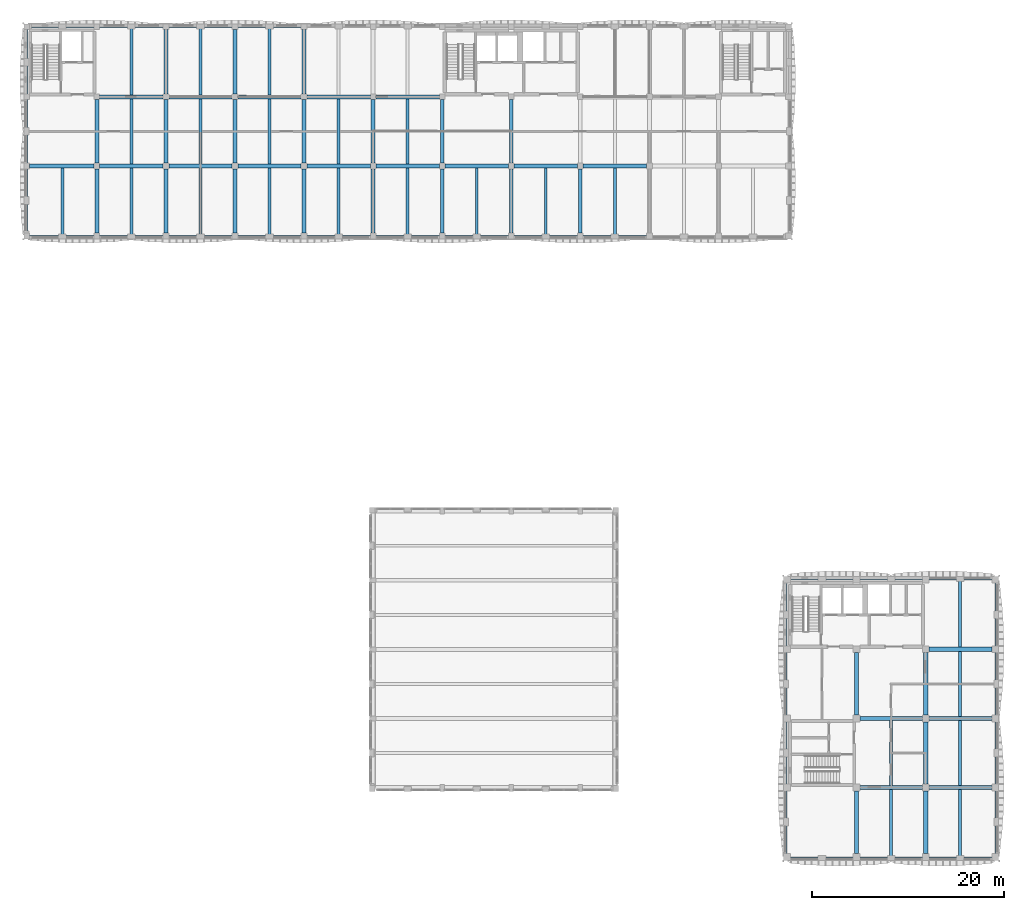
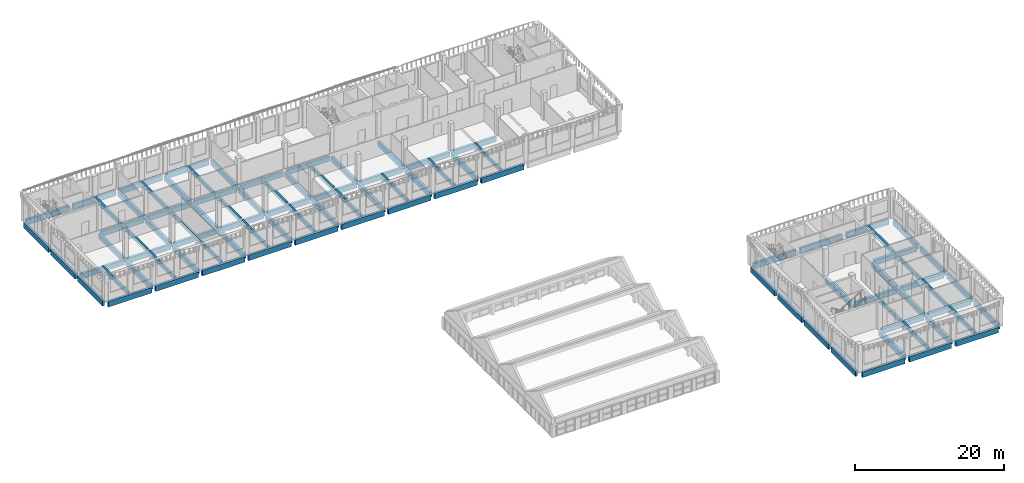
# One storey, part 6 of 38: 95 beams.
"""IFC4 building model written with IfcOpenShell, lengths in metres."""

from ifc_helpers import new_model, si_unit, direction, frame, origin, origin_2d, place, context, subcontext, project, spatial, rectangle, extrude, material, material_profile, profile_set, type_object, element, save


model = new_model("IFC4")

# Units and contexts
model_context = context("Model", 3, precision=1e-05, world=origin(), true_north=direction((0.0, 1.0)))
body_context = subcontext(model_context, "Body", "Model", "MODEL_VIEW")
ifc_project = project(units=[si_unit("LENGTHUNIT", "METRE"), si_unit("AREAUNIT", "SQUARE_METRE"), si_unit("VOLUMEUNIT", "CUBIC_METRE"), si_unit("PLANEANGLEUNIT", "RADIAN"), si_unit("MASSUNIT", "GRAM", prefix="KILO")], contexts=[model_context])

# Site, building, storey
site_placement = place(None, origin())
site = spatial("IfcSite", under=ifc_project, at=site_placement, CompositionType="ELEMENT")
building_placement = place(site_placement, origin())
building = spatial("IfcBuilding", under=site, at=building_placement, Name="Ussher Court Research Institute", CompositionType="ELEMENT")
storey_placement = place(building_placement, frame((0.0, 0.0, 23.39990234375)))
storey = spatial("IfcBuildingStorey", under=building, at=storey_placement, Name="L05", CompositionType="ELEMENT", Elevation=23.39990234375)

# Beams
ifc_material_1 = material(Name="Concrete C35/45", Category="concrete")
ifc_material_profile_1 = material_profile(ifc_material_1, rectangle(XDim=0.300048828125, YDim=0.60009765625, at=origin_2d()), Name="RC 300x600")
ifc_profile_set_1 = profile_set([ifc_material_profile_1], Name="Concrete C35/45")
beam_type_1 = type_object("IfcBeamType", Name="RC 300x600 beam", PredefinedType="BEAM", material=ifc_profile_set_1)
for number, where, z_axis, x_axis, name in (
    (1, (6.60009765625, 68.75, -0.2998046875), (0.0, 1.0, 0.0), (-1.0, 0.0, 0.0), "B3 V5 L05-01"),
    (2, (13.800048828125, 68.75, -0.2998046875), (0.0, 1.0, 0.0), (-1.0, 0.0, 0.0), "B3 V5 L05-02"),
):
    element("IfcBeam", number, at=place(storey_placement, frame(where, z_axis=z_axis, x_axis=x_axis)), inside=storey, type_object=beam_type_1, Name=name, PredefinedType="BEAM", context=body_context, shape_type="SweptSolid", body=[
        extrude(rectangle(XDim=0.300048828125, YDim=0.60009765625, at=origin_2d()), origin(), (0.0, 0.0, 1.0), 7.050048828125),
    ])
beam_1_placement = place(storey_placement, frame((13.800048828125, 76.199951171875, -0.2998046875), z_axis=(0.0, 1.0, 0.0), x_axis=(-1.0, 0.0, 0.0)))
element("IfcBeam", 3, at=beam_1_placement, inside=storey, type_object=beam_type_1, Name="B3 V5 L05-03", PredefinedType="BEAM", context=body_context, shape_type="SweptSolid", body=[
    extrude(rectangle(XDim=0.300048828125, YDim=0.60009765625, at=origin_2d()), origin(), (0.0, 0.0, 1.0), 6.800048828125),
])
for number, where, z_axis, x_axis, name in (
    (4, (13.800048828125, 83.39990234375, -0.2998046875), (0.0, 1.0, 0.0), (-1.0, 0.0, 0.0), "B3 V5 L05-04"),
    (5, (21.0, 68.75, -0.2998046875), (0.0, 1.0, 0.0), (-1.0, 0.0, 0.0), "B3 V5 L05-05"),
):
    element("IfcBeam", number, at=place(storey_placement, frame(where, z_axis=z_axis, x_axis=x_axis)), inside=storey, type_object=beam_type_1, Name=name, PredefinedType="BEAM", context=body_context, shape_type="SweptSolid", body=[
        extrude(rectangle(XDim=0.300048828125, YDim=0.60009765625, at=origin_2d()), origin(), (0.0, 0.0, 1.0), 7.050048828125),
    ])
beam_2_placement = place(storey_placement, frame((21.0, 76.199951171875, -0.2998046875), z_axis=(0.0, 1.0, 0.0), x_axis=(-1.0, 0.0, 0.0)))
element("IfcBeam", 6, at=beam_2_placement, inside=storey, type_object=beam_type_1, Name="B3 V5 L05-06", PredefinedType="BEAM", context=body_context, shape_type="SweptSolid", body=[
    extrude(rectangle(XDim=0.300048828125, YDim=0.60009765625, at=origin_2d()), origin(), (0.0, 0.0, 1.0), 6.800048828125),
])
for number, where, z_axis, x_axis, name in (
    (7, (21.0, 83.39990234375, -0.2998046875), (0.0, 1.0, 0.0), (-1.0, 0.0, 0.0), "B3 V5 L05-07"),
    (8, (28.199951171875, 68.75, -0.2998046875), (0.0, 1.0, 0.0), (-1.0, 0.0, 0.0), "B3 V5 L05-08"),
):
    element("IfcBeam", number, at=place(storey_placement, frame(where, z_axis=z_axis, x_axis=x_axis)), inside=storey, type_object=beam_type_1, Name=name, PredefinedType="BEAM", context=body_context, shape_type="SweptSolid", body=[
        extrude(rectangle(XDim=0.300048828125, YDim=0.60009765625, at=origin_2d()), origin(), (0.0, 0.0, 1.0), 7.050048828125),
    ])
beam_3_placement = place(storey_placement, frame((28.199951171875, 76.199951171875, -0.2998046875), z_axis=(0.0, 1.0, 0.0), x_axis=(-1.0, 0.0, 0.0)))
element("IfcBeam", 9, at=beam_3_placement, inside=storey, type_object=beam_type_1, Name="B3 V5 L05-09", PredefinedType="BEAM", context=body_context, shape_type="SweptSolid", body=[
    extrude(rectangle(XDim=0.300048828125, YDim=0.60009765625, at=origin_2d()), origin(), (0.0, 0.0, 1.0), 6.800048828125),
])
for number, where, z_axis, x_axis, name in (
    (10, (28.199951171875, 83.39990234375, -0.2998046875), (0.0, 1.0, 0.0), (-1.0, 0.0, 0.0), "B3 V5 L05-10"),
    (11, (35.39990234375, 68.75, -0.2998046875), (0.0, 1.0, 0.0), (-1.0, 0.0, 0.0), "B3 V5 L05-11"),
):
    element("IfcBeam", number, at=place(storey_placement, frame(where, z_axis=z_axis, x_axis=x_axis)), inside=storey, type_object=beam_type_1, Name=name, PredefinedType="BEAM", context=body_context, shape_type="SweptSolid", body=[
        extrude(rectangle(XDim=0.300048828125, YDim=0.60009765625, at=origin_2d()), origin(), (0.0, 0.0, 1.0), 7.050048828125),
    ])
beam_4_placement = place(storey_placement, frame((35.39990234375, 76.199951171875, -0.2998046875), z_axis=(0.0, 1.0, 0.0), x_axis=(-1.0, 0.0, 0.0)))
element("IfcBeam", 12, at=beam_4_placement, inside=storey, type_object=beam_type_1, Name="B3 V5 L05-12", PredefinedType="BEAM", context=body_context, shape_type="SweptSolid", body=[
    extrude(rectangle(XDim=0.300048828125, YDim=0.60009765625, at=origin_2d()), origin(), (0.0, 0.0, 1.0), 6.800048828125),
])
beam_5_placement = place(storey_placement, frame((42.60009765625, 68.75, -0.2998046875), z_axis=(0.0, 1.0, 0.0), x_axis=(-1.0, 0.0, 0.0)))
element("IfcBeam", 13, at=beam_5_placement, inside=storey, type_object=beam_type_1, Name="B3 V5 L05-14", PredefinedType="BEAM", context=body_context, shape_type="SweptSolid", body=[
    extrude(rectangle(XDim=0.300048828125, YDim=0.60009765625, at=origin_2d()), origin(), (0.0, 0.0, 1.0), 7.050048828125),
])
beam_6_placement = place(storey_placement, frame((42.60009765625, 76.199951171875, -0.2998046875), z_axis=(0.0, 1.0, 0.0), x_axis=(-1.0, 0.0, 0.0)))
element("IfcBeam", 14, at=beam_6_placement, inside=storey, type_object=beam_type_1, Name="B3 V5 L05-15", PredefinedType="BEAM", context=body_context, shape_type="SweptSolid", body=[
    extrude(rectangle(XDim=0.300048828125, YDim=0.60009765625, at=origin_2d()), origin(), (0.0, 0.0, 1.0), 6.800048828125),
])
for number, where, z_axis, x_axis, name in (
    (15, (49.800048828125, 68.75, -0.2998046875), (0.0, 1.0, 0.0), (-1.0, 0.0, 0.0), "B3 V5 L05-17"),
    (16, (57.0, 68.75, -0.2998046875), (0.0, 1.0, 0.0), (-1.0, 0.0, 0.0), "B3 V5 L05-18"),
    (17, (64.199951171875, 68.75, -0.2998046875), (0.0, 1.0, 0.0), (-1.0, 0.0, 0.0), "B3 V5 L05-19"),
):
    element("IfcBeam", number, at=place(storey_placement, frame(where, z_axis=z_axis, x_axis=x_axis)), inside=storey, type_object=beam_type_1, Name=name, PredefinedType="BEAM", context=body_context, shape_type="SweptSolid", body=[
        extrude(rectangle(XDim=0.300048828125, YDim=0.60009765625, at=origin_2d()), origin(), (0.0, 0.0, 1.0), 7.050048828125),
    ])
ifc_material_2 = material(Name="Concrete C35/45", Category="concrete")
ifc_material_profile_2 = material_profile(ifc_material_2, rectangle(XDim=0.300048828125, YDim=0.64990234375, at=origin_2d()), Name="RC 300x650")
ifc_profile_set_2 = profile_set([ifc_material_profile_2], Name="Concrete C35/45")
beam_type_2 = type_object("IfcBeamType", Name="RC 300x650 beam", PredefinedType="BEAM", material=ifc_profile_set_2)
beam_7_placement = place(storey_placement, frame((93.0, 3.949951171875, -0.324951171875), z_axis=(0.0, 1.0, 0.0), x_axis=(-1.0, 0.0, 0.0)))
element("IfcBeam", 18, at=beam_7_placement, inside=storey, type_object=beam_type_2, Name="B4 V4 L05-01", PredefinedType="BEAM", context=body_context, shape_type="SweptSolid", body=[
    extrude(rectangle(XDim=0.300048828125, YDim=0.64990234375, at=origin_2d()), origin(), (0.0, 0.0, 1.0), 7.025146484375),
])
beam_8_placement = place(storey_placement, frame((93.0, 11.425048828125, -0.324951171875), z_axis=(0.0, 1.0, 0.0), x_axis=(-1.0, 0.0, 0.0)))
element("IfcBeam", 19, at=beam_8_placement, inside=storey, type_object=beam_type_2, Name="B4 V4 L05-02", PredefinedType="BEAM", context=body_context, shape_type="SweptSolid", body=[
    extrude(rectangle(XDim=0.300048828125, YDim=0.64990234375, at=origin_2d()), origin(), (0.0, 0.0, 1.0), 6.75),
])
beam_9_placement = place(storey_placement, frame((100.199951171875, 3.949951171875, -0.324951171875), z_axis=(0.0, 1.0, 0.0), x_axis=(-1.0, 0.0, 0.0)))
element("IfcBeam", 20, at=beam_9_placement, inside=storey, type_object=beam_type_2, Name="B4 V4 L05-03", PredefinedType="BEAM", context=body_context, shape_type="SweptSolid", body=[
    extrude(rectangle(XDim=0.300048828125, YDim=0.64990234375, at=origin_2d()), origin(), (0.0, 0.0, 1.0), 7.025146484375),
])
for number, where, z_axis, x_axis, name in (
    (21, (100.199951171875, 11.425048828125, -0.324951171875), (0.0, 1.0, 0.0), (-1.0, 0.0, 0.0), "B4 V4 L05-04"),
    (22, (100.199951171875, 18.625, -0.324951171875), (0.0, 1.0, 0.0), (-1.0, 0.0, 0.0), "B4 V4 L05-05"),
):
    element("IfcBeam", number, at=place(storey_placement, frame(where, z_axis=z_axis, x_axis=x_axis)), inside=storey, type_object=beam_type_2, Name=name, PredefinedType="BEAM", context=body_context, shape_type="SweptSolid", body=[
        extrude(rectangle(XDim=0.300048828125, YDim=0.64990234375, at=origin_2d()), origin(), (0.0, 0.0, 1.0), 6.75),
    ])
beam_10_placement = place(storey_placement, frame((100.199951171875, 25.824951171875, -0.324951171875), z_axis=(0.0, 1.0, 0.0), x_axis=(-1.0, 0.0, 0.0)))
element("IfcBeam", 23, at=beam_10_placement, inside=storey, type_object=beam_type_2, Name="B4 V4 L05-06", PredefinedType="BEAM", context=body_context, shape_type="SweptSolid", body=[
    extrude(rectangle(XDim=0.300048828125, YDim=0.64990234375, at=origin_2d()), origin(), (0.0, 0.0, 1.0), 7.025146484375),
])
ifc_material_3 = material(Name="Concrete C35/45", Category="concrete")
ifc_material_profile_3 = material_profile(ifc_material_3, rectangle(XDim=0.35009765625, YDim=0.89990234375, at=origin_2d()), Name="RC 350x900")
ifc_profile_set_3 = profile_set([ifc_material_profile_3], Name="Concrete C35/45")
beam_type_3 = type_object("IfcBeamType", Name="RC 350x900 beam", PredefinedType="BEAM", material=ifc_profile_set_3)
beam_11_placement = place(storey_placement, frame((82.5, 3.77490234375, -0.64990234375), z_axis=(1.0, 0.0, 0.0), x_axis=(0.0, 1.0, 0.0)))
element("IfcBeam", 24, at=beam_11_placement, inside=storey, type_object=beam_type_3, Name="SB1 V4 L05-01", PredefinedType="BEAM", context=body_context, shape_type="SweptSolid", body=[
    extrude(rectangle(XDim=0.35009765625, YDim=0.89990234375, at=origin_2d()), origin(), (0.0, 0.0, 1.0), 6.550048828125),
])
beam_12_placement = place(storey_placement, frame((89.75, 3.77490234375, -0.64990234375), z_axis=(1.0, 0.0, 0.0), x_axis=(0.0, 1.0, 0.0)))
element("IfcBeam", 25, at=beam_12_placement, inside=storey, type_object=beam_type_3, Name="SB1 V4 L05-02", PredefinedType="BEAM", context=body_context, shape_type="SweptSolid", body=[
    extrude(rectangle(XDim=0.35009765625, YDim=0.89990234375, at=origin_2d()), origin(), (0.0, 0.0, 1.0), 6.5),
])
beam_13_placement = place(storey_placement, frame((96.949951171875, 3.77490234375, -0.64990234375), z_axis=(1.0, 0.0, 0.0), x_axis=(0.0, 1.0, 0.0)))
element("IfcBeam", 26, at=beam_13_placement, inside=storey, type_object=beam_type_3, Name="SB1 V4 L05-03", PredefinedType="BEAM", context=body_context, shape_type="SweptSolid", body=[
    extrude(rectangle(XDim=0.35009765625, YDim=0.89990234375, at=origin_2d()), origin(), (0.0, 0.0, 1.0), 6.550048828125),
])
for number, where, z_axis, x_axis, name in (
    (27, (82.550048828125, 33.02490234375, -0.64990234375), (1.0, 0.0, 0.0), (0.0, 1.0, 0.0), "SB1 V4 L05-04"),
    (28, (89.75, 33.02490234375, -0.64990234375), (1.0, 0.0, 0.0), (0.0, 1.0, 0.0), "SB1 V4 L05-05"),
):
    element("IfcBeam", number, at=place(storey_placement, frame(where, z_axis=z_axis, x_axis=x_axis)), inside=storey, type_object=beam_type_3, Name=name, PredefinedType="BEAM", context=body_context, shape_type="SweptSolid", body=[
        extrude(rectangle(XDim=0.35009765625, YDim=0.89990234375, at=origin_2d()), origin(), (0.0, 0.0, 1.0), 6.5),
    ])
for number, where, z_axis, x_axis, name in (
    (29, (96.949951171875, 33.02490234375, -0.64990234375), (1.0, 0.0, 0.0), (0.0, 1.0, 0.0), "SB1 V4 L05-06"),
    (30, (81.97509765625, 4.300048828125, -0.64990234375), (0.0, 1.0, 0.0), (-1.0, 0.0, 0.0), "SB1 V4 L05-07"),
):
    element("IfcBeam", number, at=place(storey_placement, frame(where, z_axis=z_axis, x_axis=x_axis)), inside=storey, type_object=beam_type_3, Name=name, PredefinedType="BEAM", context=body_context, shape_type="SweptSolid", body=[
        extrude(rectangle(XDim=0.35009765625, YDim=0.89990234375, at=origin_2d()), origin(), (0.0, 0.0, 1.0), 6.550048828125),
    ])
for number, where, z_axis, x_axis, name in (
    (31, (81.97509765625, 11.550048828125, -0.64990234375), (0.0, 1.0, 0.0), (-1.0, 0.0, 0.0), "SB1 V4 L05-08"),
    (32, (81.97509765625, 18.75, -0.64990234375), (0.0, 1.0, 0.0), (-1.0, 0.0, 0.0), "SB1 V4 L05-09"),
    (33, (81.97509765625, 25.949951171875, -0.64990234375), (0.0, 1.0, 0.0), (-1.0, 0.0, 0.0), "SB1 V4 L05-10"),
):
    element("IfcBeam", number, at=place(storey_placement, frame(where, z_axis=z_axis, x_axis=x_axis)), inside=storey, type_object=beam_type_3, Name=name, PredefinedType="BEAM", context=body_context, shape_type="SweptSolid", body=[
        extrude(rectangle(XDim=0.35009765625, YDim=0.89990234375, at=origin_2d()), origin(), (0.0, 0.0, 1.0), 6.5),
    ])
beam_14_placement = place(storey_placement, frame((104.02490234375, 4.300048828125, -0.64990234375), z_axis=(0.0, 1.0, 0.0), x_axis=(-1.0, 0.0, 0.0)))
element("IfcBeam", 34, at=beam_14_placement, inside=storey, type_object=beam_type_3, Name="SB1 V4 L05-11", PredefinedType="BEAM", context=body_context, shape_type="SweptSolid", body=[
    extrude(rectangle(XDim=0.35009765625, YDim=0.89990234375, at=origin_2d()), origin(), (0.0, 0.0, 1.0), 6.550048828125),
])
for number, where, z_axis, x_axis, name in (
    (35, (104.02490234375, 11.550048828125, -0.64990234375), (0.0, 1.0, 0.0), (-1.0, 0.0, 0.0), "SB1 V4 L05-12"),
    (36, (104.02490234375, 18.75, -0.64990234375), (0.0, 1.0, 0.0), (-1.0, 0.0, 0.0), "SB1 V4 L05-13"),
):
    element("IfcBeam", number, at=place(storey_placement, frame(where, z_axis=z_axis, x_axis=x_axis)), inside=storey, type_object=beam_type_3, Name=name, PredefinedType="BEAM", context=body_context, shape_type="SweptSolid", body=[
        extrude(rectangle(XDim=0.35009765625, YDim=0.89990234375, at=origin_2d()), origin(), (0.0, 0.0, 1.0), 6.5),
    ])
beam_15_placement = place(storey_placement, frame((104.02490234375, 25.949951171875, -0.64990234375), z_axis=(0.0, 1.0, 0.0), x_axis=(-1.0, 0.0, 0.0)))
element("IfcBeam", 37, at=beam_15_placement, inside=storey, type_object=beam_type_3, Name="SB1 V4 L05-14", PredefinedType="BEAM", context=body_context, shape_type="SweptSolid", body=[
    extrude(rectangle(XDim=0.35009765625, YDim=0.89990234375, at=origin_2d()), origin(), (0.0, 0.0, 1.0), 6.550048828125),
])
beam_16_placement = place(storey_placement, frame((3.199951171875, 68.574951171875, -0.64990234375), z_axis=(1.0, 0.0, 0.0), x_axis=(0.0, 1.0, 0.0)))
element("IfcBeam", 38, at=beam_16_placement, inside=storey, type_object=beam_type_3, Name="SB1 V5 L05-01", PredefinedType="BEAM", context=body_context, shape_type="SweptSolid", body=[
    extrude(rectangle(XDim=0.35009765625, YDim=0.89990234375, at=origin_2d()), origin(), (0.0, 0.0, 1.0), 6.699951171875),
])
for number, where, z_axis, x_axis, name in (
    (39, (10.5, 68.574951171875, -0.64990234375), (1.0, 0.0, 0.0), (0.0, 1.0, 0.0), "SB1 V5 L05-02"),
    (40, (17.699951171875, 68.574951171875, -0.64990234375), (1.0, 0.0, 0.0), (0.0, 1.0, 0.0), "SB1 V5 L05-03"),
    (41, (24.89990234375, 68.574951171875, -0.64990234375), (1.0, 0.0, 0.0), (0.0, 1.0, 0.0), "SB1 V5 L05-04"),
):
    element("IfcBeam", number, at=place(storey_placement, frame(where, z_axis=z_axis, x_axis=x_axis)), inside=storey, type_object=beam_type_3, Name=name, PredefinedType="BEAM", context=body_context, shape_type="SweptSolid", body=[
        extrude(rectangle(XDim=0.35009765625, YDim=0.89990234375, at=origin_2d()), origin(), (0.0, 0.0, 1.0), 6.60009765625),
    ])
for number, where, z_axis, x_axis, name in (
    (42, (32.10009765625, 68.574951171875, -0.64990234375), (1.0, 0.0, 0.0), (0.0, 1.0, 0.0), "SB1 V5 L05-05"),
    (43, (39.300048828125, 68.574951171875, -0.64990234375), (1.0, 0.0, 0.0), (0.0, 1.0, 0.0), "SB1 V5 L05-06"),
):
    element("IfcBeam", number, at=place(storey_placement, frame(where, z_axis=z_axis, x_axis=x_axis)), inside=storey, type_object=beam_type_3, Name=name, PredefinedType="BEAM", context=body_context, shape_type="SweptSolid", body=[
        extrude(rectangle(XDim=0.35009765625, YDim=0.89990234375, at=origin_2d()), origin(), (0.0, 0.0, 1.0), 6.599853515625),
    ])
for number, where, z_axis, x_axis, name in (
    (44, (46.5, 68.574951171875, -0.64990234375), (1.0, 0.0, 0.0), (0.0, 1.0, 0.0), "SB1 V5 L05-07"),
    (45, (53.699951171875, 68.574951171875, -0.64990234375), (1.0, 0.0, 0.0), (0.0, 1.0, 0.0), "SB1 V5 L05-08"),
    (46, (60.89990234375, 68.574951171875, -0.64990234375), (1.0, 0.0, 0.0), (0.0, 1.0, 0.0), "SB1 V5 L05-09"),
):
    element("IfcBeam", number, at=place(storey_placement, frame(where, z_axis=z_axis, x_axis=x_axis)), inside=storey, type_object=beam_type_3, Name=name, PredefinedType="BEAM", context=body_context, shape_type="SweptSolid", body=[
        extrude(rectangle(XDim=0.35009765625, YDim=0.89990234375, at=origin_2d()), origin(), (0.0, 0.0, 1.0), 6.60009765625),
    ])
beam_17_placement = place(storey_placement, frame((3.199951171875, 90.625, -0.64990234375), z_axis=(1.0, 0.0, 0.0), x_axis=(0.0, 1.0, 0.0)))
element("IfcBeam", 47, at=beam_17_placement, inside=storey, type_object=beam_type_3, Name="SB1 V5 L05-12", PredefinedType="BEAM", context=body_context, shape_type="SweptSolid", body=[
    extrude(rectangle(XDim=0.35009765625, YDim=0.89990234375, at=origin_2d()), origin(), (0.0, 0.0, 1.0), 6.699951171875),
])
for number, where, z_axis, x_axis, name in (
    (48, (10.5, 90.625, -0.64990234375), (1.0, 0.0, 0.0), (0.0, 1.0, 0.0), "SB1 V5 L05-13"),
    (49, (17.699951171875, 90.625, -0.64990234375), (1.0, 0.0, 0.0), (0.0, 1.0, 0.0), "SB1 V5 L05-14"),
    (50, (24.89990234375, 90.625, -0.64990234375), (1.0, 0.0, 0.0), (0.0, 1.0, 0.0), "SB1 V5 L05-15"),
):
    element("IfcBeam", number, at=place(storey_placement, frame(where, z_axis=z_axis, x_axis=x_axis)), inside=storey, type_object=beam_type_3, Name=name, PredefinedType="BEAM", context=body_context, shape_type="SweptSolid", body=[
        extrude(rectangle(XDim=0.35009765625, YDim=0.89990234375, at=origin_2d()), origin(), (0.0, 0.0, 1.0), 6.60009765625),
    ])
beam_18_placement = place(storey_placement, frame((2.77490234375, 69.0, -0.64990234375), z_axis=(0.0, 1.0, 0.0), x_axis=(-1.0, 0.0, 0.0)))
element("IfcBeam", 51, at=beam_18_placement, inside=storey, type_object=beam_type_3, Name="SB1 V5 L05-23", PredefinedType="BEAM", context=body_context, shape_type="SweptSolid", body=[
    extrude(rectangle(XDim=0.35009765625, YDim=0.89990234375, at=origin_2d()), origin(), (0.0, 0.0, 1.0), 6.699951171875),
])
beam_19_placement = place(storey_placement, frame((2.77490234375, 76.300048828125, -0.64990234375), z_axis=(0.0, 1.0, 0.0), x_axis=(-1.0, 0.0, 0.0)))
element("IfcBeam", 52, at=beam_19_placement, inside=storey, type_object=beam_type_3, Name="SB1 V5 L05-24", PredefinedType="BEAM", context=body_context, shape_type="SweptSolid", body=[
    extrude(rectangle(XDim=0.35009765625, YDim=0.89990234375, at=origin_2d()), origin(), (0.0, 0.0, 1.0), 6.599853515625),
])
beam_20_placement = place(storey_placement, frame((2.77490234375, 83.5, -0.64990234375), z_axis=(0.0, 1.0, 0.0), x_axis=(-1.0, 0.0, 0.0)))
element("IfcBeam", 53, at=beam_20_placement, inside=storey, type_object=beam_type_3, Name="SB1 V5 L05-25", PredefinedType="BEAM", context=body_context, shape_type="SweptSolid", body=[
    extrude(rectangle(XDim=0.35009765625, YDim=0.89990234375, at=origin_2d()), origin(), (0.0, 0.0, 1.0), 6.699951171875),
])
ifc_material_4 = material(Name="Concrete C35/45", Category="concrete")
ifc_material_profile_4 = material_profile(ifc_material_4, rectangle(XDim=0.39990234375, YDim=0.800048828125, at=origin_2d()), Name="RC 400x800")
ifc_profile_set_4 = profile_set([ifc_material_profile_4], Name="Concrete C35/45")
beam_type_4 = type_object("IfcBeamType", Name="RC 400x800 beam", PredefinedType="BEAM", material=ifc_profile_set_4)
beam_21_placement = place(storey_placement, frame((3.199951171875, 76.0, -0.599853515625), z_axis=(1.0, 0.0, 0.0), x_axis=(0.0, 1.0, 0.0)))
element("IfcBeam", 54, at=beam_21_placement, inside=storey, type_object=beam_type_4, Name="B17 V5 L05-01", PredefinedType="BEAM", context=body_context, shape_type="SweptSolid", body=[
    extrude(rectangle(XDim=0.39990234375, YDim=0.800048828125, at=origin_2d()), origin(), (0.0, 0.0, 1.0), 6.699951171875),
])
for number, where, z_axis, x_axis, name in (
    (55, (10.5, 76.0, -0.599853515625), (1.0, 0.0, 0.0), (0.0, 1.0, 0.0), "B17 V5 L05-02"),
    (56, (17.699951171875, 76.0, -0.599853515625), (1.0, 0.0, 0.0), (0.0, 1.0, 0.0), "B17 V5 L05-03"),
    (57, (24.89990234375, 76.0, -0.599853515625), (1.0, 0.0, 0.0), (0.0, 1.0, 0.0), "B17 V5 L05-04"),
):
    element("IfcBeam", number, at=place(storey_placement, frame(where, z_axis=z_axis, x_axis=x_axis)), inside=storey, type_object=beam_type_4, Name=name, PredefinedType="BEAM", context=body_context, shape_type="SweptSolid", body=[
        extrude(rectangle(XDim=0.39990234375, YDim=0.800048828125, at=origin_2d()), origin(), (0.0, 0.0, 1.0), 6.60009765625),
    ])
for number, where, z_axis, x_axis, name in (
    (58, (32.10009765625, 76.0, -0.599853515625), (1.0, 0.0, 0.0), (0.0, 1.0, 0.0), "B17 V5 L05-05"),
    (59, (39.300048828125, 76.0, -0.599853515625), (1.0, 0.0, 0.0), (0.0, 1.0, 0.0), "B17 V5 L05-06"),
):
    element("IfcBeam", number, at=place(storey_placement, frame(where, z_axis=z_axis, x_axis=x_axis)), inside=storey, type_object=beam_type_4, Name=name, PredefinedType="BEAM", context=body_context, shape_type="SweptSolid", body=[
        extrude(rectangle(XDim=0.39990234375, YDim=0.800048828125, at=origin_2d()), origin(), (0.0, 0.0, 1.0), 6.599853515625),
    ])
for number, where, z_axis, x_axis, name in (
    (60, (46.5, 76.0, -0.599853515625), (1.0, 0.0, 0.0), (0.0, 1.0, 0.0), "B17 V5 L05-07"),
    (61, (53.699951171875, 76.0, -0.599853515625), (1.0, 0.0, 0.0), (0.0, 1.0, 0.0), "B17 V5 L05-08"),
    (62, (60.89990234375, 76.0, -0.599853515625), (1.0, 0.0, 0.0), (0.0, 1.0, 0.0), "B17 V5 L05-09"),
    (63, (10.5, 83.199951171875, -0.599853515625), (1.0, 0.0, 0.0), (0.0, 1.0, 0.0), "B17 V5 L05-12"),
    (64, (17.699951171875, 83.199951171875, -0.599853515625), (1.0, 0.0, 0.0), (0.0, 1.0, 0.0), "B17 V5 L05-13"),
    (65, (24.89990234375, 83.199951171875, -0.599853515625), (1.0, 0.0, 0.0), (0.0, 1.0, 0.0), "B17 V5 L05-14"),
):
    element("IfcBeam", number, at=place(storey_placement, frame(where, z_axis=z_axis, x_axis=x_axis)), inside=storey, type_object=beam_type_4, Name=name, PredefinedType="BEAM", context=body_context, shape_type="SweptSolid", body=[
        extrude(rectangle(XDim=0.39990234375, YDim=0.800048828125, at=origin_2d()), origin(), (0.0, 0.0, 1.0), 6.60009765625),
    ])
for number, where, z_axis, x_axis, name in (
    (66, (32.10009765625, 83.199951171875, -0.599853515625), (1.0, 0.0, 0.0), (0.0, 1.0, 0.0), "B17 V5 L05-15"),
    (67, (39.300048828125, 83.199951171875, -0.599853515625), (1.0, 0.0, 0.0), (0.0, 1.0, 0.0), "B17 V5 L05-16"),
):
    element("IfcBeam", number, at=place(storey_placement, frame(where, z_axis=z_axis, x_axis=x_axis)), inside=storey, type_object=beam_type_4, Name=name, PredefinedType="BEAM", context=body_context, shape_type="SweptSolid", body=[
        extrude(rectangle(XDim=0.39990234375, YDim=0.800048828125, at=origin_2d()), origin(), (0.0, 0.0, 1.0), 6.599853515625),
    ])
beam_22_placement = place(storey_placement, frame((10.199951171875, 69.0, -0.599853515625), z_axis=(0.0, 1.0, 0.0), x_axis=(-1.0, 0.0, 0.0)))
element("IfcBeam", 68, at=beam_22_placement, inside=storey, type_object=beam_type_4, Name="B17 V5 L05-19", PredefinedType="BEAM", context=body_context, shape_type="SweptSolid", body=[
    extrude(rectangle(XDim=0.39990234375, YDim=0.800048828125, at=origin_2d()), origin(), (0.0, 0.0, 1.0), 6.699951171875),
])
beam_23_placement = place(storey_placement, frame((10.199951171875, 76.300048828125, -0.599853515625), z_axis=(0.0, 1.0, 0.0), x_axis=(-1.0, 0.0, 0.0)))
element("IfcBeam", 69, at=beam_23_placement, inside=storey, type_object=beam_type_4, Name="B17 V5 L05-20", PredefinedType="BEAM", context=body_context, shape_type="SweptSolid", body=[
    extrude(rectangle(XDim=0.39990234375, YDim=0.800048828125, at=origin_2d()), origin(), (0.0, 0.0, 1.0), 6.599853515625),
])
beam_24_placement = place(storey_placement, frame((17.39990234375, 69.0, -0.599853515625), z_axis=(0.0, 1.0, 0.0), x_axis=(-1.0, 0.0, 0.0)))
element("IfcBeam", 70, at=beam_24_placement, inside=storey, type_object=beam_type_4, Name="B17 V5 L05-21", PredefinedType="BEAM", context=body_context, shape_type="SweptSolid", body=[
    extrude(rectangle(XDim=0.39990234375, YDim=0.800048828125, at=origin_2d()), origin(), (0.0, 0.0, 1.0), 6.699951171875),
])
beam_25_placement = place(storey_placement, frame((17.39990234375, 76.300048828125, -0.599853515625), z_axis=(0.0, 1.0, 0.0), x_axis=(-1.0, 0.0, 0.0)))
element("IfcBeam", 71, at=beam_25_placement, inside=storey, type_object=beam_type_4, Name="B17 V5 L05-22", PredefinedType="BEAM", context=body_context, shape_type="SweptSolid", body=[
    extrude(rectangle(XDim=0.39990234375, YDim=0.800048828125, at=origin_2d()), origin(), (0.0, 0.0, 1.0), 6.599853515625),
])
for number, where, z_axis, x_axis, name in (
    (72, (17.39990234375, 83.5, -0.599853515625), (0.0, 1.0, 0.0), (-1.0, 0.0, 0.0), "B17 V5 L05-23"),
    (73, (24.60009765625, 69.0, -0.599853515625), (0.0, 1.0, 0.0), (-1.0, 0.0, 0.0), "B17 V5 L05-24"),
):
    element("IfcBeam", number, at=place(storey_placement, frame(where, z_axis=z_axis, x_axis=x_axis)), inside=storey, type_object=beam_type_4, Name=name, PredefinedType="BEAM", context=body_context, shape_type="SweptSolid", body=[
        extrude(rectangle(XDim=0.39990234375, YDim=0.800048828125, at=origin_2d()), origin(), (0.0, 0.0, 1.0), 6.699951171875),
    ])
beam_26_placement = place(storey_placement, frame((24.60009765625, 76.300048828125, -0.599853515625), z_axis=(0.0, 1.0, 0.0), x_axis=(-1.0, 0.0, 0.0)))
element("IfcBeam", 74, at=beam_26_placement, inside=storey, type_object=beam_type_4, Name="B17 V5 L05-25", PredefinedType="BEAM", context=body_context, shape_type="SweptSolid", body=[
    extrude(rectangle(XDim=0.39990234375, YDim=0.800048828125, at=origin_2d()), origin(), (0.0, 0.0, 1.0), 6.599853515625),
])
for number, where, z_axis, x_axis, name in (
    (75, (24.60009765625, 83.5, -0.599853515625), (0.0, 1.0, 0.0), (-1.0, 0.0, 0.0), "B17 V5 L05-26"),
    (76, (31.800048828125, 69.0, -0.599853515625), (0.0, 1.0, 0.0), (-1.0, 0.0, 0.0), "B17 V5 L05-27"),
):
    element("IfcBeam", number, at=place(storey_placement, frame(where, z_axis=z_axis, x_axis=x_axis)), inside=storey, type_object=beam_type_4, Name=name, PredefinedType="BEAM", context=body_context, shape_type="SweptSolid", body=[
        extrude(rectangle(XDim=0.39990234375, YDim=0.800048828125, at=origin_2d()), origin(), (0.0, 0.0, 1.0), 6.699951171875),
    ])
beam_27_placement = place(storey_placement, frame((31.800048828125, 76.300048828125, -0.599853515625), z_axis=(0.0, 1.0, 0.0), x_axis=(-1.0, 0.0, 0.0)))
element("IfcBeam", 77, at=beam_27_placement, inside=storey, type_object=beam_type_4, Name="B17 V5 L05-28", PredefinedType="BEAM", context=body_context, shape_type="SweptSolid", body=[
    extrude(rectangle(XDim=0.39990234375, YDim=0.800048828125, at=origin_2d()), origin(), (0.0, 0.0, 1.0), 6.599853515625),
])
for number, where, z_axis, x_axis, name in (
    (78, (31.800048828125, 83.5, -0.599853515625), (0.0, 1.0, 0.0), (-1.0, 0.0, 0.0), "B17 V5 L05-29"),
    (79, (39.0, 69.0, -0.599853515625), (0.0, 1.0, 0.0), (-1.0, 0.0, 0.0), "B17 V5 L05-30"),
):
    element("IfcBeam", number, at=place(storey_placement, frame(where, z_axis=z_axis, x_axis=x_axis)), inside=storey, type_object=beam_type_4, Name=name, PredefinedType="BEAM", context=body_context, shape_type="SweptSolid", body=[
        extrude(rectangle(XDim=0.39990234375, YDim=0.800048828125, at=origin_2d()), origin(), (0.0, 0.0, 1.0), 6.699951171875),
    ])
beam_28_placement = place(storey_placement, frame((39.0, 76.300048828125, -0.599853515625), z_axis=(0.0, 1.0, 0.0), x_axis=(-1.0, 0.0, 0.0)))
element("IfcBeam", 80, at=beam_28_placement, inside=storey, type_object=beam_type_4, Name="B17 V5 L05-31", PredefinedType="BEAM", context=body_context, shape_type="SweptSolid", body=[
    extrude(rectangle(XDim=0.39990234375, YDim=0.800048828125, at=origin_2d()), origin(), (0.0, 0.0, 1.0), 6.599853515625),
])
beam_29_placement = place(storey_placement, frame((46.199951171875, 69.0, -0.599853515625), z_axis=(0.0, 1.0, 0.0), x_axis=(-1.0, 0.0, 0.0)))
element("IfcBeam", 81, at=beam_29_placement, inside=storey, type_object=beam_type_4, Name="B17 V5 L05-33", PredefinedType="BEAM", context=body_context, shape_type="SweptSolid", body=[
    extrude(rectangle(XDim=0.39990234375, YDim=0.800048828125, at=origin_2d()), origin(), (0.0, 0.0, 1.0), 6.699951171875),
])
beam_30_placement = place(storey_placement, frame((46.199951171875, 76.300048828125, -0.599853515625), z_axis=(0.0, 1.0, 0.0), x_axis=(-1.0, 0.0, 0.0)))
element("IfcBeam", 82, at=beam_30_placement, inside=storey, type_object=beam_type_4, Name="B17 V5 L05-34", PredefinedType="BEAM", context=body_context, shape_type="SweptSolid", body=[
    extrude(rectangle(XDim=0.39990234375, YDim=0.800048828125, at=origin_2d()), origin(), (0.0, 0.0, 1.0), 6.599853515625),
])
beam_31_placement = place(storey_placement, frame((53.39990234375, 69.0, -0.599853515625), z_axis=(0.0, 1.0, 0.0), x_axis=(-1.0, 0.0, 0.0)))
element("IfcBeam", 83, at=beam_31_placement, inside=storey, type_object=beam_type_4, Name="B17 V5 L05-35", PredefinedType="BEAM", context=body_context, shape_type="SweptSolid", body=[
    extrude(rectangle(XDim=0.39990234375, YDim=0.800048828125, at=origin_2d()), origin(), (0.0, 0.0, 1.0), 6.699951171875),
])
beam_32_placement = place(storey_placement, frame((53.39990234375, 76.300048828125, -0.599853515625), z_axis=(0.0, 1.0, 0.0), x_axis=(-1.0, 0.0, 0.0)))
element("IfcBeam", 84, at=beam_32_placement, inside=storey, type_object=beam_type_4, Name="B17 V5 L05-36", PredefinedType="BEAM", context=body_context, shape_type="SweptSolid", body=[
    extrude(rectangle(XDim=0.39990234375, YDim=0.800048828125, at=origin_2d()), origin(), (0.0, 0.0, 1.0), 6.599853515625),
])
beam_33_placement = place(storey_placement, frame((60.60009765625, 69.0, -0.599853515625), z_axis=(0.0, 1.0, 0.0), x_axis=(-1.0, 0.0, 0.0)))
element("IfcBeam", 85, at=beam_33_placement, inside=storey, type_object=beam_type_4, Name="B17 V5 L05-37", PredefinedType="BEAM", context=body_context, shape_type="SweptSolid", body=[
    extrude(rectangle(XDim=0.39990234375, YDim=0.800048828125, at=origin_2d()), origin(), (0.0, 0.0, 1.0), 6.699951171875),
])
ifc_material_5 = material(Name="Concrete C35/45", Category="concrete")
ifc_material_profile_5 = material_profile(ifc_material_5, rectangle(XDim=0.449951171875, YDim=0.800048828125, at=origin_2d()), Name="RC 450x800")
ifc_profile_set_5 = profile_set([ifc_material_profile_5], Name="Concrete C35/45")
beam_type_5 = type_object("IfcBeamType", Name="RC 450x800 beam", PredefinedType="BEAM", material=ifc_profile_set_5)
beam_34_placement = place(storey_placement, frame((89.75, 11.199951171875, -0.599853515625), z_axis=(1.0, 0.0, 0.0), x_axis=(0.0, 1.0, 0.0)))
element("IfcBeam", 86, at=beam_34_placement, inside=storey, type_object=beam_type_5, Name="B11 V4 L05-01", PredefinedType="BEAM", context=body_context, shape_type="SweptSolid", body=[
    extrude(rectangle(XDim=0.449951171875, YDim=0.800048828125, at=origin_2d()), origin(), (0.0, 0.0, 1.0), 6.5),
])
beam_35_placement = place(storey_placement, frame((96.949951171875, 11.199951171875, -0.599853515625), z_axis=(1.0, 0.0, 0.0), x_axis=(0.0, 1.0, 0.0)))
element("IfcBeam", 87, at=beam_35_placement, inside=storey, type_object=beam_type_5, Name="B11 V4 L05-02", PredefinedType="BEAM", context=body_context, shape_type="SweptSolid", body=[
    extrude(rectangle(XDim=0.449951171875, YDim=0.800048828125, at=origin_2d()), origin(), (0.0, 0.0, 1.0), 6.550048828125),
])
beam_36_placement = place(storey_placement, frame((89.75, 18.39990234375, -0.599853515625), z_axis=(1.0, 0.0, 0.0), x_axis=(0.0, 1.0, 0.0)))
element("IfcBeam", 88, at=beam_36_placement, inside=storey, type_object=beam_type_5, Name="B11 V4 L05-03", PredefinedType="BEAM", context=body_context, shape_type="SweptSolid", body=[
    extrude(rectangle(XDim=0.449951171875, YDim=0.800048828125, at=origin_2d()), origin(), (0.0, 0.0, 1.0), 6.5),
])
for number, where, z_axis, x_axis, name in (
    (89, (96.949951171875, 18.39990234375, -0.599853515625), (1.0, 0.0, 0.0), (0.0, 1.0, 0.0), "B11 V4 L05-04"),
    (90, (96.949951171875, 25.60009765625, -0.599853515625), (1.0, 0.0, 0.0), (0.0, 1.0, 0.0), "B11 V4 L05-05"),
    (91, (89.39990234375, 4.300048828125, -0.599853515625), (0.0, 1.0, 0.0), (-1.0, 0.0, 0.0), "B11 V4 L05-06"),
):
    element("IfcBeam", number, at=place(storey_placement, frame(where, z_axis=z_axis, x_axis=x_axis)), inside=storey, type_object=beam_type_5, Name=name, PredefinedType="BEAM", context=body_context, shape_type="SweptSolid", body=[
        extrude(rectangle(XDim=0.449951171875, YDim=0.800048828125, at=origin_2d()), origin(), (0.0, 0.0, 1.0), 6.550048828125),
    ])
beam_37_placement = place(storey_placement, frame((89.39990234375, 18.75, -0.599853515625), z_axis=(0.0, 1.0, 0.0), x_axis=(-1.0, 0.0, 0.0)))
element("IfcBeam", 92, at=beam_37_placement, inside=storey, type_object=beam_type_5, Name="B11 V4 L05-07", PredefinedType="BEAM", context=body_context, shape_type="SweptSolid", body=[
    extrude(rectangle(XDim=0.449951171875, YDim=0.800048828125, at=origin_2d()), origin(), (0.0, 0.0, 1.0), 6.5),
])
beam_38_placement = place(storey_placement, frame((96.60009765625, 4.300048828125, -0.599853515625), z_axis=(0.0, 1.0, 0.0), x_axis=(-1.0, 0.0, 0.0)))
element("IfcBeam", 93, at=beam_38_placement, inside=storey, type_object=beam_type_5, Name="B11 V4 L05-08", PredefinedType="BEAM", context=body_context, shape_type="SweptSolid", body=[
    extrude(rectangle(XDim=0.449951171875, YDim=0.800048828125, at=origin_2d()), origin(), (0.0, 0.0, 1.0), 6.550048828125),
])
for number, where, z_axis, x_axis, name in (
    (94, (96.60009765625, 11.550048828125, -0.599853515625), (0.0, 1.0, 0.0), (-1.0, 0.0, 0.0), "B11 V4 L05-09"),
    (95, (96.60009765625, 18.75, -0.599853515625), (0.0, 1.0, 0.0), (-1.0, 0.0, 0.0), "B11 V4 L05-10"),
):
    element("IfcBeam", number, at=place(storey_placement, frame(where, z_axis=z_axis, x_axis=x_axis)), inside=storey, type_object=beam_type_5, Name=name, PredefinedType="BEAM", context=body_context, shape_type="SweptSolid", body=[
        extrude(rectangle(XDim=0.449951171875, YDim=0.800048828125, at=origin_2d()), origin(), (0.0, 0.0, 1.0), 6.5),
    ])

save(model, "model.ifc")
